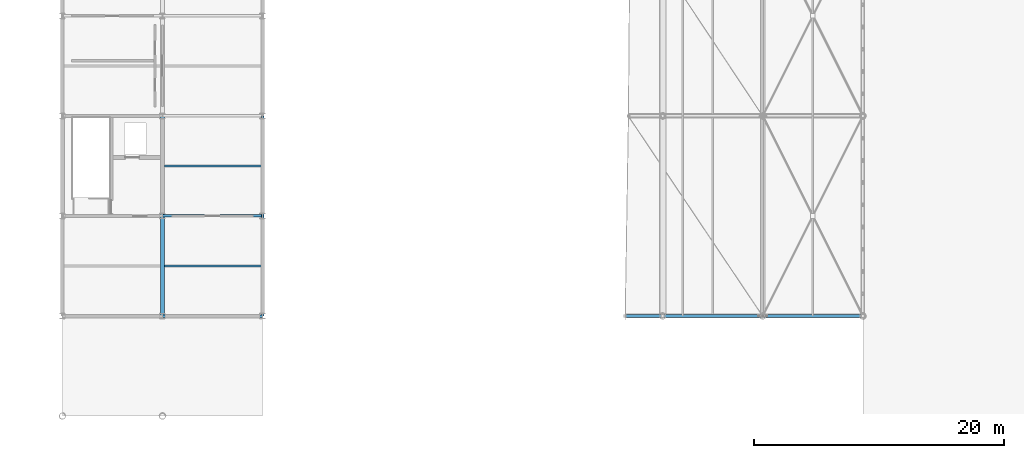
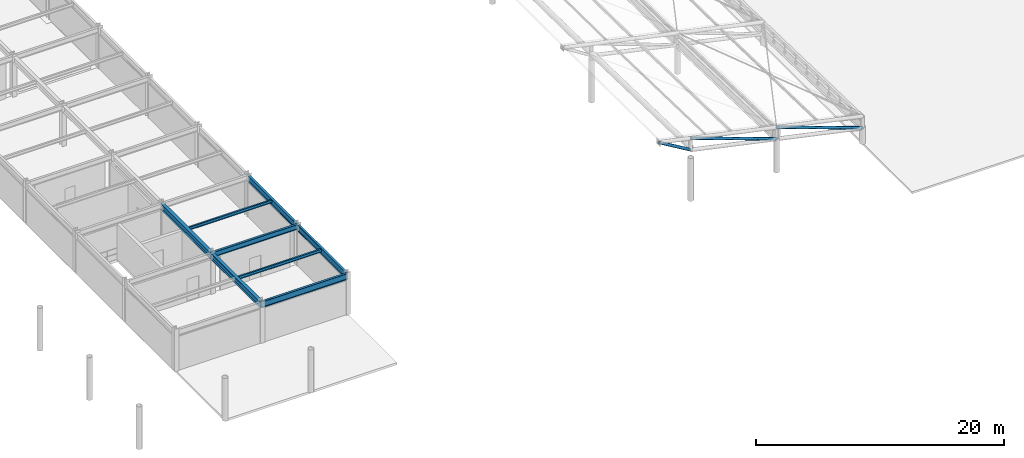
# One storey, part 19 of 54: 8 beams, 3 members.
"""IFC4 building model written with IfcOpenShell, lengths in metres."""

from ifc_helpers import new_model, si_unit, direction, frame, origin, origin_2d, place, context, subcontext, project, spatial, hollow_circle, i_section, extrude, material, material_profile, profile_set, type_object, element, save


model = new_model("IFC4")

# Units and contexts
model_context = context("Model", 3, precision=1e-05, world=origin(), true_north=direction((0.0, 1.0)))
body_context = subcontext(model_context, "Body", "Model", "MODEL_VIEW")
ifc_project = project(units=[si_unit("LENGTHUNIT", "METRE"), si_unit("AREAUNIT", "SQUARE_METRE"), si_unit("VOLUMEUNIT", "CUBIC_METRE"), si_unit("PLANEANGLEUNIT", "RADIAN"), si_unit("MASSUNIT", "GRAM", prefix="KILO")], contexts=[model_context])

# Site, building, storey
site_placement = place(None, origin())
site = spatial("IfcSite", under=ifc_project, at=site_placement, CompositionType="ELEMENT")
building_placement = place(site_placement, origin())
building = spatial("IfcBuilding", under=site, at=building_placement, Name="Haebicheon Civic Stadium", CompositionType="ELEMENT")
storey_placement = place(building_placement, frame((0.0, 0.0, 22.800048828125)))
storey = spatial("IfcBuildingStorey", under=building, at=storey_placement, Name="L06", CompositionType="ELEMENT", Elevation=22.800048828125)

# Beams
ifc_material_1 = material(Name="Steel SM355 (S355)", Category="steel")
ifc_material_profile_1 = material_profile(ifc_material_1, i_section(OverallWidth=0.199951171875, OverallDepth=0.5, WebThickness=0.010009765625, FlangeThickness=0.01611328125, at=origin_2d()), Name="H-500x200x10x16")
ifc_profile_set_1 = profile_set([ifc_material_profile_1], Name="Steel SM355 (S355)")
beam_type_1 = type_object("IfcBeamType", Name="BM-ST-H500", PredefinedType="BEAM", material=ifc_profile_set_1)
beam_placement = place(storey_placement, frame((152.0, 64.0, 3.72998046875), z_axis=(1.0, 0.0, 0.0), x_axis=(0.0, 1.0, 0.0)))
element("IfcBeam", 1, at=beam_placement, inside=storey, type_object=beam_type_1, material=ifc_profile_set_1, Name="L06 beam J/20-21", PredefinedType="BEAM", context=body_context, shape_type="SweptSolid", body=[
    extrude(i_section(OverallWidth=0.199951171875, OverallDepth=0.5, WebThickness=0.010009765625, FlangeThickness=0.01611328125, at=origin_2d()), origin(), (0.0, 0.0, 1.0), 8.0),
])
ifc_material_2 = material(Name="Steel SM355 (S355)", Category="steel")
ifc_material_profile_2 = material_profile(ifc_material_2, i_section(OverallWidth=0.300048828125, OverallDepth=0.60009765625, WebThickness=0.011962890625, FlangeThickness=0.02001953125, at=origin_2d()), Name="H-600x300x12x20")
ifc_profile_set_2 = profile_set([ifc_material_profile_2], Name="Steel SM355 (S355)")
beam_type_2 = type_object("IfcBeamType", Name="BM-ST-H600A", PredefinedType="BEAM", material=ifc_profile_set_2)
for number, where, z_axis, x_axis, name in (
    (2, (152.0, 56.0, 3.679931640625), (0.0, 1.0, 0.0), (-1.0, 0.0, 0.0), "L06 girder 20/H-J"),
    (3, (152.0, 64.0, 3.679931640625), (0.0, 1.0, 0.0), (-1.0, 0.0, 0.0), "L06 girder 20/J-K"),
):
    element("IfcBeam", number, at=place(storey_placement, frame(where, z_axis=z_axis, x_axis=x_axis)), inside=storey, type_object=beam_type_2, material=ifc_profile_set_2, Name=name, PredefinedType="BEAM", context=body_context, shape_type="SweptSolid", body=[
        extrude(i_section(OverallWidth=0.300048828125, OverallDepth=0.60009765625, WebThickness=0.011962890625, FlangeThickness=0.02001953125, at=origin_2d()), origin(), (0.0, 0.0, 1.0), 8.0),
    ])

# Members
ifc_material_3 = material(Name="White painted steel SM490", Category="steel")
ifc_material_profile_3 = material_profile(ifc_material_3, hollow_circle(Radius=0.1337890625, WallThickness=0.011962890625, at=origin_2d()), Name="CHS-267.4x12.0")
ifc_profile_set_3 = profile_set([ifc_material_profile_3], Name="White painted steel SM490")
member_type = type_object("IfcMemberType", Name="BRC-CHS267", PredefinedType="BRACE", material=ifc_profile_set_3)
member_placement = place(storey_placement, frame((191.8798828125, 56.0, 4.973876953125), z_axis=(-0.858121330711, 0.0, 0.513446961017), x_axis=(0.0, -1.0, 0.0)))
element("IfcMember", 4, at=member_placement, inside=storey, type_object=member_type, material=ifc_profile_set_3, Name="BR267 diagonal brace CAN-COMM truss 1 tip", PredefinedType="BRACE", context=body_context, shape_type="SweptSolid", body=[
    extrude(hollow_circle(Radius=0.1337890625, WallThickness=0.011962890625, at=origin_2d()), origin(), (0.0, 0.0, 1.0), 3.35595703125),
])
for number, where, z_axis, x_axis, name in (
    (5, (208.0, 56.0, 1.4619140625), (-0.941257424358, 0.0, 0.337689888939), (0.0, -1.0, 0.0), "BR267 diagonal brace CAN-COMM truss 1 D1"),
    (6, (200.0, 56.0, 3.181884765625), (-0.941257424358, 0.0, 0.337689888939), (0.0, -1.0, 0.0), "BR267 diagonal brace CAN-COMM truss 1 D2"),
):
    element("IfcMember", number, at=place(storey_placement, frame(where, z_axis=z_axis, x_axis=x_axis)), inside=storey, type_object=member_type, material=ifc_profile_set_3, Name=name, PredefinedType="BRACE", context=body_context, shape_type="SweptSolid", body=[
        extrude(hollow_circle(Radius=0.1337890625, WallThickness=0.011962890625, at=origin_2d()), origin(), (0.0, 0.0, 1.0), 8.499267578125),
    ])

# Beams
ifc_material_4 = material(Name="Steel SM355 (S355)", Category="steel")
ifc_material_profile_4 = material_profile(ifc_material_4, i_section(OverallWidth=0.14990234375, OverallDepth=0.300048828125, WebThickness=0.006591796875, FlangeThickness=0.009033203125, at=origin_2d()), Name="H-300x150x6.5x9")
ifc_profile_set_4 = profile_set([ifc_material_profile_4], Name="Steel SM355 (S355)")
beam_type_3 = type_object("IfcBeamType", Name="JST-ST-H300", PredefinedType="JOIST", material=ifc_profile_set_4)
for number, where, z_axis, x_axis, name in (
    (7, (152.14990234375, 60.0, 3.829833984375), (1.0, 0.0, 0.0), (0.0, 1.0, 0.0), "L06 secondary joist 19-07"),
    (8, (152.14990234375, 68.0, 3.829833984375), (1.0, 0.0, 0.0), (0.0, 1.0, 0.0), "L06 secondary joist 19-08"),
):
    element("IfcBeam", number, at=place(storey_placement, frame(where, z_axis=z_axis, x_axis=x_axis)), inside=storey, type_object=beam_type_3, material=ifc_profile_set_4, Name=name, PredefinedType="JOIST", context=body_context, shape_type="SweptSolid", body=[
        extrude(i_section(OverallWidth=0.14990234375, OverallDepth=0.300048828125, WebThickness=0.006591796875, FlangeThickness=0.009033203125, at=origin_2d()), origin(), (0.0, 0.0, 1.0), 7.75),
    ])
ifc_material_5 = material(Name="Steel SM355 (S355)", Category="steel")
ifc_material_profile_5 = material_profile(ifc_material_5, i_section(OverallWidth=0.199951171875, OverallDepth=0.60009765625, WebThickness=0.010986328125, FlangeThickness=0.01708984375, at=origin_2d()), Name="H-600x200x11x17")
ifc_profile_set_5 = profile_set([ifc_material_profile_5], Name="Steel SM355 (S355)")
beam_type_4 = type_object("IfcBeamType", Name="SPD-ST-H600B", PredefinedType="SPANDREL", material=ifc_profile_set_5)
for number, where, z_axis, x_axis, name in (
    (9, (160.0, 56.0, 3.679931640625), (0.0, 1.0, 0.0), (-1.0, 0.0, 0.0), "L06 girder 21/H-J"),
    (10, (160.0, 64.0, 3.679931640625), (0.0, 1.0, 0.0), (-1.0, 0.0, 0.0), "L06 girder 21/J-K"),
    (11, (152.0, 56.0, 3.679931640625), (1.0, 0.0, 0.0), (0.0, 1.0, 0.0), "L06 beam H/20-21"),
):
    element("IfcBeam", number, at=place(storey_placement, frame(where, z_axis=z_axis, x_axis=x_axis)), inside=storey, type_object=beam_type_4, material=ifc_profile_set_5, Name=name, PredefinedType="SPANDREL", context=body_context, shape_type="SweptSolid", body=[
        extrude(i_section(OverallWidth=0.199951171875, OverallDepth=0.60009765625, WebThickness=0.010986328125, FlangeThickness=0.01708984375, at=origin_2d()), origin(), (0.0, 0.0, 1.0), 8.0),
    ])

save(model, "model.ifc")
